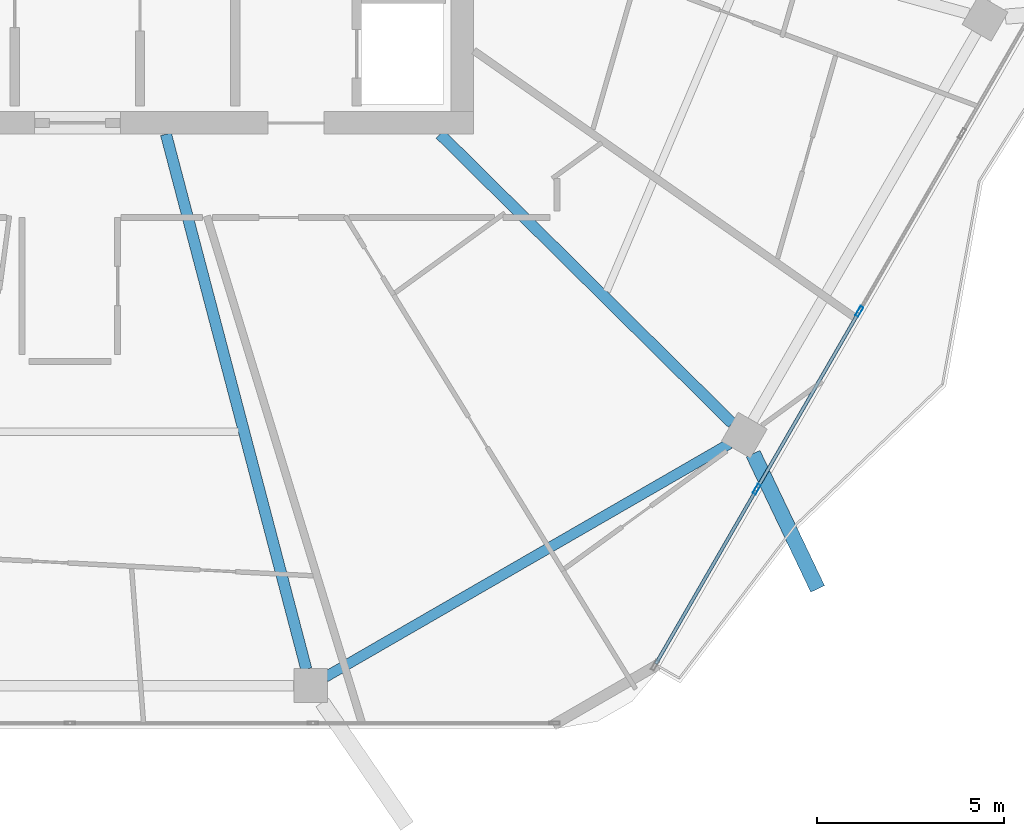
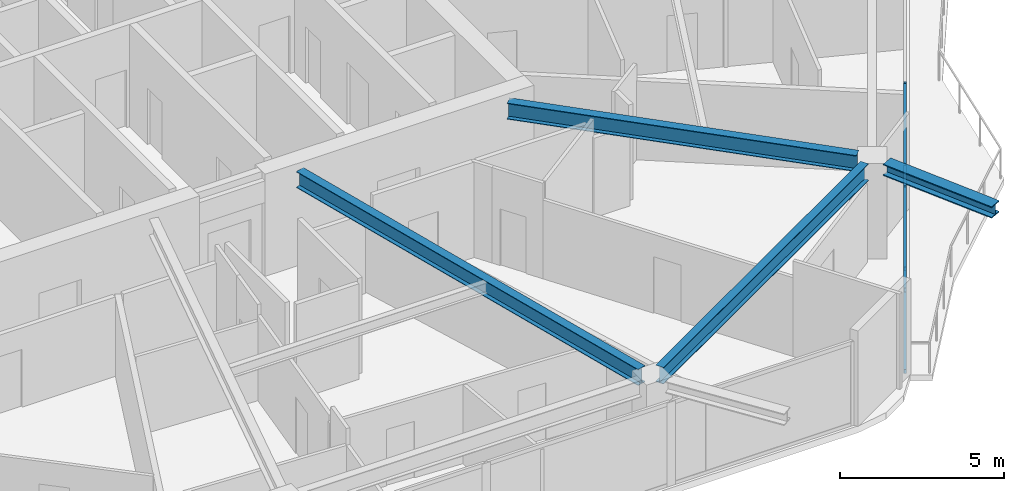
# One storey, part 8 of 25: 6 members, 4 beams, 1 element without a shape of its own.
"""IFC4 building model written with IfcOpenShell, lengths in metres."""

from ifc_helpers import new_model, si_unit, direction, frame, origin, origin_2d, place, context, subcontext, project, spatial, hollow_rectangle, i_section, extrude, material, material_profile, profile_set, type_object, element, aggregate, save


model = new_model("IFC4")

# Units and contexts
model_context = context("Model", 3, precision=1e-05, world=origin(), true_north=direction((0.0, 1.0)))
body_context = subcontext(model_context, "Body", "Model", "MODEL_VIEW")
ifc_project = project(units=[si_unit("LENGTHUNIT", "METRE"), si_unit("AREAUNIT", "SQUARE_METRE"), si_unit("VOLUMEUNIT", "CUBIC_METRE"), si_unit("PLANEANGLEUNIT", "RADIAN"), si_unit("MASSUNIT", "GRAM", prefix="KILO")], contexts=[model_context])

# Site, building, storey
site_placement = place(None, origin())
site = spatial("IfcSite", under=ifc_project, at=site_placement, CompositionType="ELEMENT")
building_placement = place(site_placement, origin())
building = spatial("IfcBuilding", under=site, at=building_placement, Name="Zuhravey Tower", CompositionType="ELEMENT")
storey_placement = place(building_placement, frame((0.0, 0.0, 257.800048828125)))
storey = spatial("IfcBuildingStorey", under=building, at=storey_placement, Name="L65", CompositionType="ELEMENT", Elevation=257.800048828125)

# Curtain wall, members
ifc_material_1 = material(Name="Thermally broken anodised aluminium", Category="aluminium")
curtain_wall_type = type_object("IfcCurtainWallType", Name="Zone 3-4 High-Rise Curtain Wall CW4", PredefinedType="NOTDEFINED", material=ifc_material_1)
curtain_wall_placement = place(storey_placement, origin())
curtain_wall = element("IfcCurtainWall", 1, at=curtain_wall_placement, inside=storey, type_object=curtain_wall_type, Name="L65 CW4 CW-L65-F6-2", PredefinedType="NOTDEFINED")
ifc_material_2 = material(Name="Anodised aluminium", Category="aluminium")
ifc_material_profile_1 = material_profile(ifc_material_2, hollow_rectangle(XDim=0.090087890625, YDim=0.284912109375, WallThickness=0.0048828125, at=origin_2d()), Name="ALU-RHS-90x285x5")
ifc_profile_set_1 = profile_set([ifc_material_profile_1], Name="Anodised aluminium")
member_type_1 = type_object("IfcMemberType", Name="Curtain-Wall Mullion 90x180", PredefinedType="MULLION", material=ifc_profile_set_1)
member_1_placement = place(storey_placement, frame((57.1220703125, 17.45703125, 0.0), z_axis=(0.0, 0.0, 1.0), x_axis=(0.866025036881, -0.500000635495, 0.0)))
member_1 = element("IfcMember", 2, at=member_1_placement, type_object=member_type_1, Name="CW4 mullion 3", PredefinedType="MULLION", context=body_context, shape_type="SweptSolid", body=[
    extrude(hollow_rectangle(XDim=0.090087890625, YDim=0.284912109375, WallThickness=0.0048828125, at=origin_2d()), origin(), (0.0, 0.0, 1.0), 3.1220703125),
])
member_2_placement = place(storey_placement, frame((54.377197265625, 12.703125, 0.0), z_axis=(0.0, 0.0, 1.0), x_axis=(0.866025036881, -0.500000635495, 0.0)))
member_2 = element("IfcMember", 3, at=member_2_placement, type_object=member_type_1, Name="CW4 mullion 4", PredefinedType="MULLION", context=body_context, shape_type="SweptSolid", body=[
    extrude(hollow_rectangle(XDim=0.090087890625, YDim=0.284912109375, WallThickness=0.0048828125, at=origin_2d()), origin(), (0.0, 0.0, 1.0), 3.1220703125),
])
ifc_material_profile_2 = material_profile(ifc_material_2, hollow_rectangle(XDim=0.090087890625, YDim=0.14990234375, WallThickness=0.0048828125, at=origin_2d()), Name="ALU-RHS-90x150x5")
ifc_profile_set_2 = profile_set([ifc_material_profile_2], Name="Anodised aluminium")
member_type_2 = type_object("IfcMemberType", Name="Curtain-Wall Transom 90x150", PredefinedType="USERDEFINED", material=ifc_profile_set_2)
member_3_placement = place(storey_placement, frame((57.099609375, 17.418212890625, 0.044921875), z_axis=(-0.50001468107, -0.866016927499, 0.0), x_axis=(0.866016927499, -0.50001468107, 0.0)))
member_3 = element("IfcMember", 4, at=member_3_placement, type_object=member_type_2, Name="CW4 transom 3.1", ObjectType="TRANSOM", PredefinedType="USERDEFINED", context=body_context, shape_type="SweptSolid", body=[
    extrude(hollow_rectangle(XDim=0.090087890625, YDim=0.14990234375, WallThickness=0.0048828125, at=origin_2d()), origin(), (0.0, 0.0, 1.0), 5.399658203125),
])
member_4_placement = place(storey_placement, frame((57.099609375, 17.418212890625, 3.076904296875), z_axis=(-0.50001468107, -0.866016927499, 0.0), x_axis=(0.866016927499, -0.50001468107, 0.0)))
member_4 = element("IfcMember", 5, at=member_4_placement, type_object=member_type_2, Name="CW4 transom 3.2", ObjectType="TRANSOM", PredefinedType="USERDEFINED", context=body_context, shape_type="SweptSolid", body=[
    extrude(hollow_rectangle(XDim=0.090087890625, YDim=0.14990234375, WallThickness=0.0048828125, at=origin_2d()), origin(), (0.0, 0.0, 1.0), 5.399658203125),
])
member_5_placement = place(storey_placement, frame((54.354736328125, 12.6640625, 0.044921875), z_axis=(-0.499993468075, -0.86602917496, 0.0), x_axis=(0.86602917496, -0.499993468075, 0.0)))
member_5 = element("IfcMember", 6, at=member_5_placement, type_object=member_type_2, Name="CW4 transom 4.1", ObjectType="TRANSOM", PredefinedType="USERDEFINED", context=body_context, shape_type="SweptSolid", body=[
    extrude(hollow_rectangle(XDim=0.090087890625, YDim=0.14990234375, WallThickness=0.0048828125, at=origin_2d()), origin(), (0.0, 0.0, 1.0), 5.3544921875),
])
member_6_placement = place(storey_placement, frame((54.354736328125, 12.6640625, 3.076904296875), z_axis=(-0.499993468075, -0.86602917496, 0.0), x_axis=(0.86602917496, -0.499993468075, 0.0)))
member_6 = element("IfcMember", 7, at=member_6_placement, type_object=member_type_2, Name="CW4 transom 4.2", ObjectType="TRANSOM", PredefinedType="USERDEFINED", context=body_context, shape_type="SweptSolid", body=[
    extrude(hollow_rectangle(XDim=0.090087890625, YDim=0.14990234375, WallThickness=0.0048828125, at=origin_2d()), origin(), (0.0, 0.0, 1.0), 5.3544921875),
])
aggregate(curtain_wall, [member_1, member_2, member_3, member_4, member_5, member_6])

# Beams
ifc_material_3 = material(Name="Steel SM460", Category="steel")
ifc_material_profile_3 = material_profile(ifc_material_3, i_section(OverallWidth=0.406982421875, OverallDepth=0.427978515625, WebThickness=0.02001953125, FlangeThickness=0.034912109375, at=origin_2d()), Name="H-428x407x20x35")
ifc_profile_set_3 = profile_set([ifc_material_profile_3], Name="Steel SM460")
beam_type_1 = type_object("IfcBeamType", Name="Exoskeleton Node Tie Beam H428x407", PredefinedType="BEAM", material=ifc_profile_set_3)
beam_1_placement = place(storey_placement, frame((54.280517578125, 13.649169921875, 3.3359375), z_axis=(0.431011445347, -0.902346460058, 0.0), x_axis=(0.902346460058, 0.431011445347, 0.0)))
element("IfcBeam", 8, at=beam_1_placement, inside=storey, type_object=beam_type_1, Name="L65 Exoskeleton Node Tie NT1-11", PredefinedType="BEAM", context=body_context, shape_type="SweptSolid", body=[
    extrude(i_section(OverallWidth=0.406982421875, OverallDepth=0.427978515625, WebThickness=0.02001953125, FlangeThickness=0.034912109375, at=origin_2d()), origin(), (0.0, 0.0, 1.0), 4.008056640625),
])
ifc_material_4 = material(Name="Steel SM355", Category="steel")
ifc_material_profile_4 = material_profile(ifc_material_4, i_section(OverallWidth=0.280029296875, OverallDepth=0.6201171875, WebThickness=0.011962890625, FlangeThickness=0.02001953125, at=origin_2d()), Name="H-620x280x12x20")
ifc_profile_set_4 = profile_set([ifc_material_profile_4], Name="Steel SM355")
beam_type_2 = type_object("IfcBeamType", Name="Perimeter Ring Beam H620x280", PredefinedType="BEAM", material=ifc_profile_set_4)
beam_2_placement = place(storey_placement, frame((42.833251953125, 7.6728515625, 3.239990234375), z_axis=(0.866025131093, 0.500000472315, 0.0), x_axis=(-0.500000472315, 0.866025131093, 0.0)))
element("IfcBeam", 9, at=beam_2_placement, inside=storey, type_object=beam_type_2, Name="L65 PB3 BM-L65-PB-10", PredefinedType="BEAM", context=body_context, shape_type="SweptSolid", body=[
    extrude(i_section(OverallWidth=0.280029296875, OverallDepth=0.6201171875, WebThickness=0.011962890625, FlangeThickness=0.02001953125, at=origin_2d()), origin(), (0.0, 0.0, 1.0), 12.49169921875),
])
ifc_material_profile_5 = material_profile(ifc_material_4, i_section(OverallWidth=0.300048828125, OverallDepth=0.60009765625, WebThickness=0.011962890625, FlangeThickness=0.02001953125, at=origin_2d()), Name="H-600x300x12x20")
ifc_profile_set_5 = profile_set([ifc_material_profile_5], Name="Steel SM355")
beam_type_3 = type_object("IfcBeamType", Name="Radial Primary Girder H600x300", PredefinedType="BEAM", material=ifc_profile_set_5)
beam_3_placement = place(storey_placement, frame((38.571533203125, 22.197021484375, 3.25), z_axis=(0.253731415841, -0.967274712073, 0.0), x_axis=(0.967274712073, 0.253731415841, 0.0)))
element("IfcBeam", 10, at=beam_3_placement, inside=storey, type_object=beam_type_3, Name="L65 RG3 BM-L65-RAD-10", PredefinedType="BEAM", context=body_context, shape_type="SweptSolid", body=[
    extrude(i_section(OverallWidth=0.300048828125, OverallDepth=0.60009765625, WebThickness=0.011962890625, FlangeThickness=0.02001953125, at=origin_2d()), origin(), (0.0, 0.0, 1.0), 14.796630859375),
])
beam_4_placement = place(storey_placement, frame((45.90673828125, 22.197021484375, 3.25), z_axis=(0.710816516282, -0.703377480576, 0.0), x_axis=(0.703377480576, 0.710816516282, 0.0)))
element("IfcBeam", 11, at=beam_4_placement, inside=storey, type_object=beam_type_3, Name="L65 RG3 BM-L65-RAD-11", PredefinedType="BEAM", context=body_context, shape_type="SweptSolid", body=[
    extrude(i_section(OverallWidth=0.300048828125, OverallDepth=0.60009765625, WebThickness=0.011962890625, FlangeThickness=0.02001953125, at=origin_2d()), origin(), (0.0, 0.0, 1.0), 10.994384765625),
])

save(model, "model.ifc")
